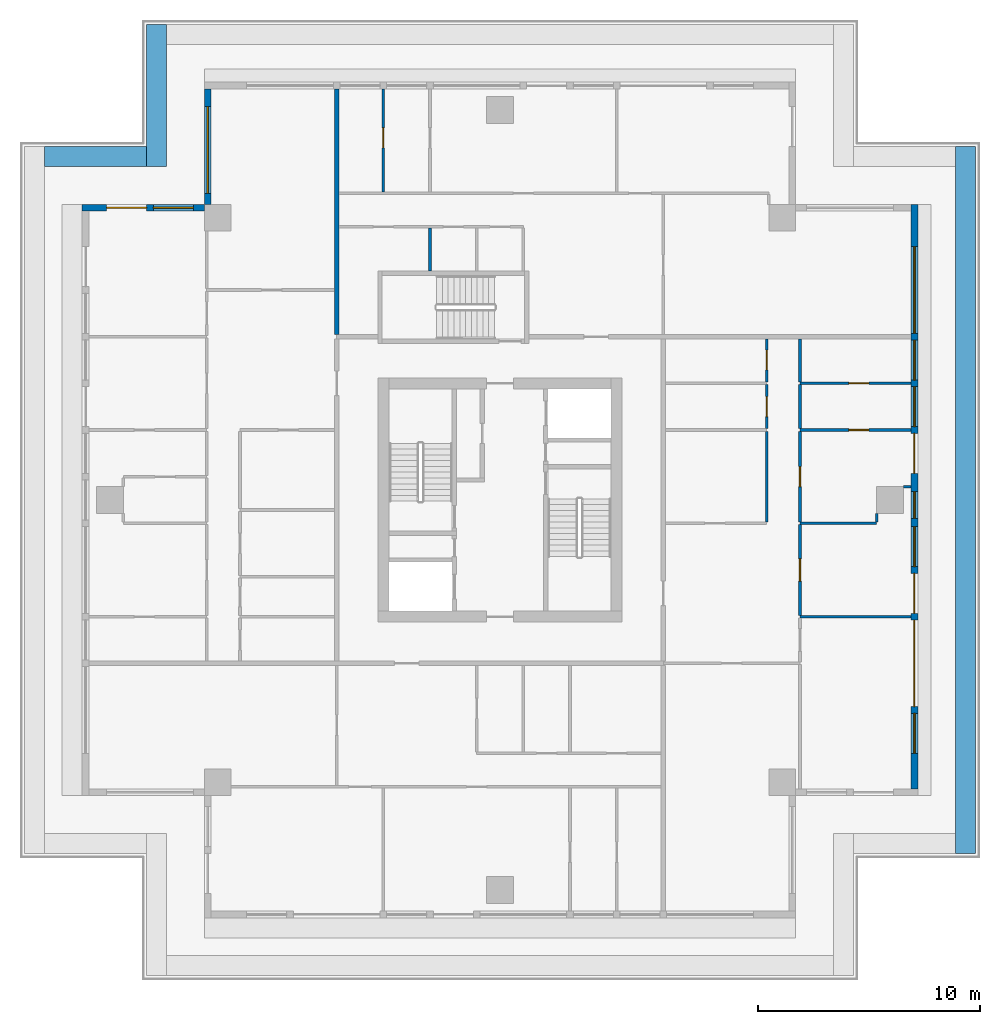
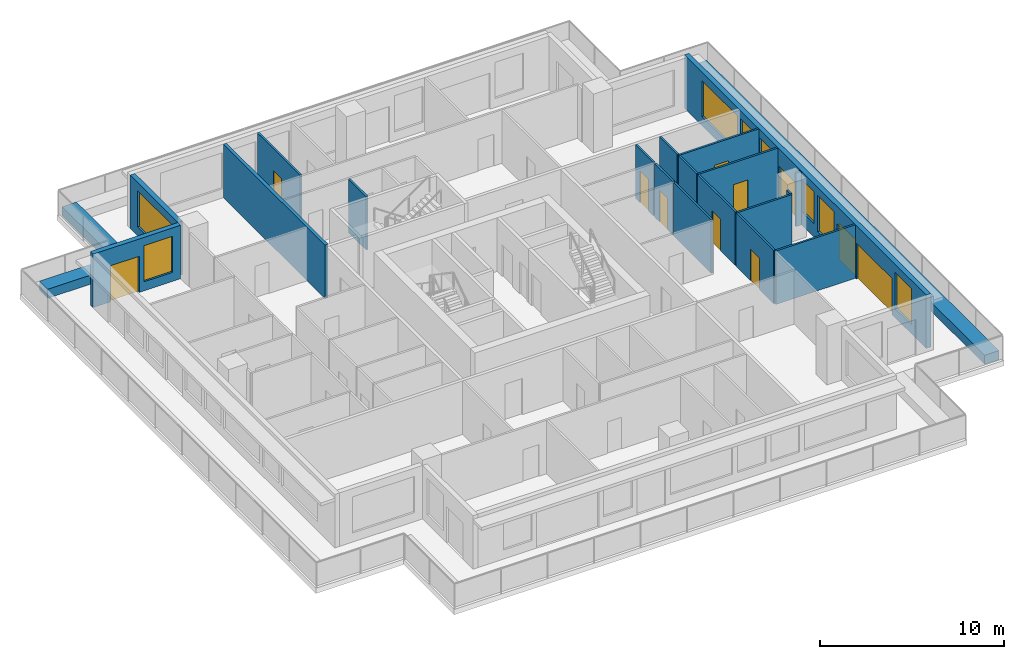
# One storey, part 5 of 10: 22 walls, 11 doors, 8 windows, 19 openings.
"""IFC4 building model written with IfcOpenShell, lengths in metres."""

from ifc_helpers import new_model, si_unit, direction, frame, frame_2d, origin, place, context, subcontext, project, spatial, rectangle, extrude, material, layer, layer_set, type_object, element, fill, save


model = new_model("IFC4")

# Units and contexts
model_context = context("Model", 3, precision=1e-05, world=origin(), true_north=direction((0.0, 1.0)))
body_context = subcontext(model_context, "Body", "Model", "MODEL_VIEW")
ifc_project = project(units=[si_unit("LENGTHUNIT", "METRE"), si_unit("AREAUNIT", "SQUARE_METRE"), si_unit("VOLUMEUNIT", "CUBIC_METRE"), si_unit("PLANEANGLEUNIT", "RADIAN"), si_unit("MASSUNIT", "GRAM", prefix="KILO")], contexts=[model_context])

# Site, building, storey
site_placement = place(None, origin())
site = spatial("IfcSite", under=ifc_project, at=site_placement, CompositionType="ELEMENT")
building_placement = place(site_placement, origin())
building = spatial("IfcBuilding", under=site, at=building_placement, Name="Khepri Terraces", CompositionType="ELEMENT")
storey_placement = place(building_placement, frame((0.0, 0.0, 300.60009765625)))
storey = spatial("IfcBuildingStorey", under=building, at=storey_placement, Name="L72", CompositionType="ELEMENT", Elevation=300.60009765625)

# Wall
ifc_material_1 = material(Name="Fire-rated gypsum plasterboard partition, mineral wool")
ifc_layer_1 = layer(ifc_material_1, 0.199951171875, Name="Fire-rated gypsum plasterboard partition, mineral wool")
ifc_layer_set_1 = layer_set([ifc_layer_1], Name="Fire-rated gypsum plasterboard partition, mineral wool")
wall_type_1 = type_object("IfcWallType", Name="WL-CORR-200", PredefinedType="PARTITIONING", material=ifc_layer_set_1)
wall_1_placement = place(storey_placement, frame((-7.35009765625, 7.449951171875, 0.0), z_axis=(0.0, 0.0, 1.0), x_axis=(0.0, 1.0, 0.0)))
element("IfcWall", 1, at=wall_1_placement, inside=storey, type_object=wall_type_1, Name="Partition P-056 L72", PredefinedType="PARTITIONING", context=body_context, shape_type="SweptSolid", body=[
    extrude(rectangle(XDim=11.050048828125, YDim=0.199951171875, at=frame_2d((5.52490234375, 0.0))), origin(), (0.0, 0.0, 1.0), 3.5498046875),
])

# Wall, openings, doors, windows
ifc_material_2 = material(Name="Precast concrete C50/60 warm stone", Category="masonry")
ifc_layer_2 = layer(ifc_material_2, 0.300048828125, Name="Precast concrete C50/60 warm stone", Category="masonry")
ifc_layer_set_2 = layer_set([ifc_layer_2], Name="Precast concrete C50/60 warm stone")
wall_type_2 = type_object("IfcWallType", Name="WL-EXT-PRECAST-300", PredefinedType="STANDARD", material=ifc_layer_set_2)
wall_2_placement = place(storey_placement, frame((18.64990234375, -13.0, 0.0), z_axis=(0.0, 0.0, 1.0), x_axis=(0.0, 1.0, 0.0)))
wall_2 = element("IfcWall", 2, at=wall_2_placement, inside=storey, type_object=wall_type_2, Name="External wall L72 E", PredefinedType="STANDARD", context=body_context, shape_type="SweptSolid", body=[
    extrude(rectangle(XDim=26.300048828125, YDim=0.300048828125, at=frame_2d((13.14990234375, 0.0))), origin(), (0.0, 0.0, 1.0), 3.5498046875),
])
opening_1_placement = place(wall_2_placement, frame((1.60009765625, 0.0, 0.60009765625)))
opening_1 = element("IfcOpeningElement", 3, at=opening_1_placement, cuts=wall_2, Name="Opening WC1", PredefinedType="OPENING", context=body_context, shape_type="SweptSolid", body=[
    extrude(rectangle(XDim=1.800048828125, YDim=2.39990234375, at=frame_2d((0.89990234375, 1.199951171875))), frame((0.0, 0.16015625, 0.0), z_axis=(0.0, -1.0, 0.0), x_axis=(1.0, 0.0, 0.0)), (0.0, 0.0, 1.0), 0.320068359375),
])
opening_2_placement = place(wall_2_placement, frame((3.699951171875, 0.0, 0.0)))
opening_2 = element("IfcOpeningElement", 4, at=opening_2_placement, cuts=wall_2, Name="Opening ED-L72-01", PredefinedType="OPENING", context=body_context, shape_type="SweptSolid", body=[
    extrude(rectangle(XDim=3.89990234375, YDim=2.39990234375, at=frame_2d((1.949951171875, 1.199951171875))), frame((0.0, 0.16015625, 0.0), z_axis=(0.0, -1.0, 0.0), x_axis=(1.0, 0.0, 0.0)), (0.0, 0.0, 1.0), 0.320068359375),
])
opening_3_placement = place(wall_2_placement, frame((7.89990234375, 0.0, 0.0)))
opening_3 = element("IfcOpeningElement", 5, at=opening_3_placement, cuts=wall_2, Name="Opening ED-L72-02", PredefinedType="OPENING", context=body_context, shape_type="SweptSolid", body=[
    extrude(rectangle(XDim=1.800048828125, YDim=2.39990234375, at=frame_2d((0.89990234375, 1.199951171875))), frame((0.0, 0.16015625, 0.0), z_axis=(0.0, -1.0, 0.0), x_axis=(1.0, 0.0, 0.0)), (0.0, 0.0, 1.0), 0.320068359375),
])
opening_4_placement = place(wall_2_placement, frame((10.0, 0.0, 0.60009765625)))
opening_4 = element("IfcOpeningElement", 6, at=opening_4_placement, cuts=wall_2, Name="Opening WC1", PredefinedType="OPENING", context=body_context, shape_type="SweptSolid", body=[
    extrude(rectangle(XDim=1.800048828125, YDim=2.39990234375, at=frame_2d((0.89990234375, 1.199951171875))), frame((0.0, 0.16015625, 0.0), z_axis=(0.0, -1.0, 0.0), x_axis=(1.0, 0.0, 0.0)), (0.0, 0.0, 1.0), 0.320068359375),
])
opening_5_placement = place(wall_2_placement, frame((14.199951171875, 0.0, 0.0)))
opening_5 = element("IfcOpeningElement", 7, at=opening_5_placement, cuts=wall_2, Name="Opening ED-L72-03", PredefinedType="OPENING", context=body_context, shape_type="SweptSolid", body=[
    extrude(rectangle(XDim=1.800048828125, YDim=2.39990234375, at=frame_2d((0.89990234375, 1.199951171875))), frame((0.0, 0.16015625, 0.0), z_axis=(0.0, -1.0, 0.0), x_axis=(1.0, 0.0, 0.0)), (0.0, 0.0, 1.0), 0.320068359375),
])
opening_6_placement = place(wall_2_placement, frame((16.300048828125, 0.0, 0.60009765625)))
opening_6 = element("IfcOpeningElement", 8, at=opening_6_placement, cuts=wall_2, Name="Opening WC1", PredefinedType="OPENING", context=body_context, shape_type="SweptSolid", body=[
    extrude(rectangle(XDim=1.800048828125, YDim=2.39990234375, at=frame_2d((0.89990234375, 1.199951171875))), frame((0.0, 0.16015625, 0.0), z_axis=(0.0, -1.0, 0.0), x_axis=(1.0, 0.0, 0.0)), (0.0, 0.0, 1.0), 0.320068359375),
])
opening_7_placement = place(wall_2_placement, frame((18.39990234375, 0.0, 0.60009765625)))
opening_7 = element("IfcOpeningElement", 9, at=opening_7_placement, cuts=wall_2, Name="Opening WC1", PredefinedType="OPENING", context=body_context, shape_type="SweptSolid", body=[
    extrude(rectangle(XDim=1.800048828125, YDim=2.39990234375, at=frame_2d((0.89990234375, 1.199951171875))), frame((0.0, 0.16015625, 0.0), z_axis=(0.0, -1.0, 0.0), x_axis=(1.0, 0.0, 0.0)), (0.0, 0.0, 1.0), 0.320068359375),
])
opening_8_placement = place(wall_2_placement, frame((20.5, 0.0, 0.60009765625)))
opening_8 = element("IfcOpeningElement", 10, at=opening_8_placement, cuts=wall_2, Name="Opening WC2", PredefinedType="OPENING", context=body_context, shape_type="SweptSolid", body=[
    extrude(rectangle(XDim=3.89990234375, YDim=2.39990234375, at=frame_2d((1.949951171875, 1.199951171875))), frame((0.0, 0.16015625, 0.0), z_axis=(0.0, -1.0, 0.0), x_axis=(1.0, 0.0, 0.0)), (0.0, 0.0, 1.0), 0.320068359375),
])
opening_9_placement = place(wall_2_placement, frame((12.175048828125, 0.0, 0.89990234375)))
opening_9 = element("IfcOpeningElement", 11, at=opening_9_placement, cuts=wall_2, Name="Opening W4", PredefinedType="OPENING", context=body_context, shape_type="SweptSolid", body=[
    extrude(rectangle(XDim=1.199951171875, YDim=2.10009765625, at=frame_2d((0.60009765625, 1.050048828125))), frame((0.0, 0.16015625, 0.0), z_axis=(0.0, -1.0, 0.0), x_axis=(1.0, 0.0, 0.0)), (0.0, 0.0, 1.0), 0.320068359375),
])
ifc_material_3 = material(Name="Anodised aluminium bronze glazed door", Category="aluminium")
door_type_1 = type_object("IfcDoorType", Name="DR-BAL-SLIDE-1800x2400", OperationType="NOTDEFINED", PredefinedType="DOOR", material=ifc_material_3)
door_1_placement = place(opening_3_placement, origin())
door_1 = element("IfcDoor", 12, at=door_1_placement, inside=storey, type_object=door_type_1, Name="Balcony door L72 E", OperationType="SLIDING_TO_LEFT", OverallHeight=2.39990234375, OverallWidth=1.800048828125, PredefinedType="DOOR", context=body_context, shape_type="SweptSolid", body=[
    extrude(rectangle(XDim=1.800048828125, YDim=2.39990234375, at=frame_2d((0.89990234375, 1.199951171875))), frame((0.0, 0.02490234375, 0.0), z_axis=(0.0, -1.0, 0.0), x_axis=(1.0, 0.0, 0.0)), (0.0, 0.0, 1.0), 0.050048828125),
])
fill(opening_3, door_1)
door_2_placement = place(opening_5_placement, origin())
door_2 = element("IfcDoor", 13, at=door_2_placement, inside=storey, type_object=door_type_1, Name="Balcony door L72 E", OperationType="SLIDING_TO_LEFT", OverallHeight=2.39990234375, OverallWidth=1.800048828125, PredefinedType="DOOR", context=body_context, shape_type="SweptSolid", body=[
    extrude(rectangle(XDim=1.800048828125, YDim=2.39990234375, at=frame_2d((0.89990234375, 1.199951171875))), frame((0.0, 0.02490234375, 0.0), z_axis=(0.0, -1.0, 0.0), x_axis=(1.0, 0.0, 0.0)), (0.0, 0.0, 1.0), 0.050048828125),
])
fill(opening_5, door_2)
door_type_2 = type_object("IfcDoorType", Name="DR-BAL-SLIDE-3900x2400", OperationType="NOTDEFINED", PredefinedType="DOOR", material=ifc_material_3)
door_3_placement = place(opening_2_placement, origin())
door_3 = element("IfcDoor", 14, at=door_3_placement, inside=storey, type_object=door_type_2, Name="Balcony door L72 E", OperationType="SLIDING_TO_LEFT", OverallHeight=2.39990234375, OverallWidth=3.89990234375, PredefinedType="DOOR", context=body_context, shape_type="SweptSolid", body=[
    extrude(rectangle(XDim=3.89990234375, YDim=2.39990234375, at=frame_2d((1.949951171875, 1.199951171875))), frame((0.0, 0.02490234375, 0.0), z_axis=(0.0, -1.0, 0.0), x_axis=(1.0, 0.0, 0.0)), (0.0, 0.0, 1.0), 0.050048828125),
])
fill(opening_2, door_3)
ifc_material_4 = material(Name="Clear glass", Category="glass")
window_type_1 = type_object("IfcWindowType", Name="WIN-CRN-1800x2400", PartitioningType="SINGLE_PANEL", PredefinedType="WINDOW", material=ifc_material_4)
window_1_placement = place(opening_1_placement, origin())
window_1 = element("IfcWindow", 15, at=window_1_placement, inside=storey, type_object=window_type_1, Name="Window L72 E", OverallHeight=2.39990234375, OverallWidth=1.800048828125, PartitioningType="SINGLE_PANEL", PredefinedType="WINDOW", context=body_context, shape_type="SweptSolid", body=[
    extrude(rectangle(XDim=1.800048828125, YDim=2.39990234375, at=frame_2d((0.89990234375, 1.199951171875))), frame((0.0, 0.030029296875, 0.0), z_axis=(0.0, -1.0, 0.0), x_axis=(1.0, 0.0, 0.0)), (0.0, 0.0, 1.0), 0.06005859375),
])
fill(opening_1, window_1)
window_2_placement = place(opening_4_placement, origin())
window_2 = element("IfcWindow", 16, at=window_2_placement, inside=storey, type_object=window_type_1, Name="Window L72 E", OverallHeight=2.39990234375, OverallWidth=1.800048828125, PartitioningType="SINGLE_PANEL", PredefinedType="WINDOW", context=body_context, shape_type="SweptSolid", body=[
    extrude(rectangle(XDim=1.800048828125, YDim=2.39990234375, at=frame_2d((0.89990234375, 1.199951171875))), frame((0.0, 0.030029296875, 0.0), z_axis=(0.0, -1.0, 0.0), x_axis=(1.0, 0.0, 0.0)), (0.0, 0.0, 1.0), 0.06005859375),
])
fill(opening_4, window_2)
window_3_placement = place(opening_6_placement, origin())
window_3 = element("IfcWindow", 17, at=window_3_placement, inside=storey, type_object=window_type_1, Name="Window L72 E", OverallHeight=2.39990234375, OverallWidth=1.800048828125, PartitioningType="SINGLE_PANEL", PredefinedType="WINDOW", context=body_context, shape_type="SweptSolid", body=[
    extrude(rectangle(XDim=1.800048828125, YDim=2.39990234375, at=frame_2d((0.89990234375, 1.199951171875))), frame((0.0, 0.030029296875, 0.0), z_axis=(0.0, -1.0, 0.0), x_axis=(1.0, 0.0, 0.0)), (0.0, 0.0, 1.0), 0.06005859375),
])
fill(opening_6, window_3)
window_4_placement = place(opening_7_placement, origin())
window_4 = element("IfcWindow", 18, at=window_4_placement, inside=storey, type_object=window_type_1, Name="Window L72 E", OverallHeight=2.39990234375, OverallWidth=1.800048828125, PartitioningType="SINGLE_PANEL", PredefinedType="WINDOW", context=body_context, shape_type="SweptSolid", body=[
    extrude(rectangle(XDim=1.800048828125, YDim=2.39990234375, at=frame_2d((0.89990234375, 1.199951171875))), frame((0.0, 0.030029296875, 0.0), z_axis=(0.0, -1.0, 0.0), x_axis=(1.0, 0.0, 0.0)), (0.0, 0.0, 1.0), 0.06005859375),
])
fill(opening_7, window_4)
window_type_2 = type_object("IfcWindowType", Name="WIN-CRN-3900x2400", PartitioningType="SINGLE_PANEL", PredefinedType="WINDOW", material=ifc_material_4)
window_5_placement = place(opening_8_placement, origin())
window_5 = element("IfcWindow", 19, at=window_5_placement, inside=storey, type_object=window_type_2, Name="Window L72 E", OverallHeight=2.39990234375, OverallWidth=3.89990234375, PartitioningType="SINGLE_PANEL", PredefinedType="WINDOW", context=body_context, shape_type="SweptSolid", body=[
    extrude(rectangle(XDim=3.89990234375, YDim=2.39990234375, at=frame_2d((1.949951171875, 1.199951171875))), frame((0.0, 0.030029296875, 0.0), z_axis=(0.0, -1.0, 0.0), x_axis=(1.0, 0.0, 0.0)), (0.0, 0.0, 1.0), 0.06005859375),
])
fill(opening_8, window_5)
window_type_3 = type_object("IfcWindowType", Name="WIN-RES-1200x2100", PartitioningType="SINGLE_PANEL", PredefinedType="WINDOW", material=ifc_material_4)
window_6_placement = place(opening_9_placement, origin())
window_6 = element("IfcWindow", 20, at=window_6_placement, inside=storey, type_object=window_type_3, Name="Window L72 E", OverallHeight=2.10009765625, OverallWidth=1.199951171875, PartitioningType="SINGLE_PANEL", PredefinedType="WINDOW", context=body_context, shape_type="SweptSolid", body=[
    extrude(rectangle(XDim=1.199951171875, YDim=2.10009765625, at=frame_2d((0.60009765625, 1.050048828125))), frame((0.0, 0.030029296875, 0.0), z_axis=(0.0, -1.0, 0.0), x_axis=(1.0, 0.0, 0.0)), (0.0, 0.0, 1.0), 0.06005859375),
])
fill(opening_9, window_6)

# Wall, opening, window
wall_3_placement = place(storey_placement, frame((-13.14990234375, 18.5, 0.0), z_axis=(0.0, 0.0, 1.0), x_axis=(0.0, -1.0, 0.0)))
wall_3 = element("IfcWall", 21, at=wall_3_placement, inside=storey, type_object=wall_type_2, Name="External wall L72 W", PredefinedType="STANDARD", context=body_context, shape_type="SweptSolid", body=[
    extrude(rectangle(XDim=5.199951171875, YDim=0.300048828125, at=frame_2d((2.60009765625, 0.0))), origin(), (0.0, 0.0, 1.0), 3.5498046875),
])
opening_10_placement = place(wall_3_placement, frame((0.800048828125, 0.0, 0.60009765625)))
opening_10 = element("IfcOpeningElement", 22, at=opening_10_placement, cuts=wall_3, Name="Opening WC2", PredefinedType="OPENING", context=body_context, shape_type="SweptSolid", body=[
    extrude(rectangle(XDim=3.89990234375, YDim=2.39990234375, at=frame_2d((1.949951171875, 1.199951171875))), frame((0.0, 0.16015625, 0.0), z_axis=(0.0, -1.0, 0.0), x_axis=(1.0, 0.0, 0.0)), (0.0, 0.0, 1.0), 0.320068359375),
])
window_7_placement = place(opening_10_placement, origin())
window_7 = element("IfcWindow", 23, at=window_7_placement, inside=storey, type_object=window_type_2, Name="Window L72 W", OverallHeight=2.39990234375, OverallWidth=3.89990234375, PartitioningType="SINGLE_PANEL", PredefinedType="WINDOW", context=body_context, shape_type="SweptSolid", body=[
    extrude(rectangle(XDim=3.89990234375, YDim=2.39990234375, at=frame_2d((1.949951171875, 1.199951171875))), frame((0.0, 0.030029296875, 0.0), z_axis=(0.0, -1.0, 0.0), x_axis=(1.0, 0.0, 0.0)), (0.0, 0.0, 1.0), 0.06005859375),
])
fill(opening_10, window_7)

# Wall, openings, door, window
wall_4_placement = place(storey_placement, frame((-13.300048828125, 13.14990234375, 0.0), z_axis=(0.0, 0.0, 1.0), x_axis=(-1.0, 0.0, 0.0)))
wall_4 = element("IfcWall", 24, at=wall_4_placement, inside=storey, type_object=wall_type_2, Name="External wall L72 N", PredefinedType="STANDARD", context=body_context, shape_type="SweptSolid", body=[
    extrude(rectangle(XDim=5.5, YDim=0.300048828125, at=frame_2d((2.75, 0.0))), origin(), (0.0, 0.0, 1.0), 3.5498046875),
])
opening_11_placement = place(wall_4_placement, frame((0.5, 0.0, 0.60009765625)))
opening_11 = element("IfcOpeningElement", 25, at=opening_11_placement, cuts=wall_4, Name="Opening WC1", PredefinedType="OPENING", context=body_context, shape_type="SweptSolid", body=[
    extrude(rectangle(XDim=1.800048828125, YDim=2.39990234375, at=frame_2d((0.89990234375, 1.199951171875))), frame((0.0, 0.16015625, 0.0), z_axis=(0.0, -1.0, 0.0), x_axis=(1.0, 0.0, 0.0)), (0.0, 0.0, 1.0), 0.320068359375),
])
opening_12_placement = place(wall_4_placement, frame((2.60009765625, 0.0, 0.0)))
opening_12 = element("IfcOpeningElement", 26, at=opening_12_placement, cuts=wall_4, Name="Opening ED-L72-07", PredefinedType="OPENING", context=body_context, shape_type="SweptSolid", body=[
    extrude(rectangle(XDim=1.800048828125, YDim=2.39990234375, at=frame_2d((0.89990234375, 1.199951171875))), frame((0.0, 0.16015625, 0.0), z_axis=(0.0, -1.0, 0.0), x_axis=(1.0, 0.0, 0.0)), (0.0, 0.0, 1.0), 0.320068359375),
])
door_4_placement = place(opening_12_placement, origin())
door_4 = element("IfcDoor", 27, at=door_4_placement, inside=storey, type_object=door_type_1, Name="Balcony door L72 N", OperationType="SLIDING_TO_LEFT", OverallHeight=2.39990234375, OverallWidth=1.800048828125, PredefinedType="DOOR", context=body_context, shape_type="SweptSolid", body=[
    extrude(rectangle(XDim=1.800048828125, YDim=2.39990234375, at=frame_2d((0.89990234375, 1.199951171875))), frame((0.0, 0.02490234375, 0.0), z_axis=(0.0, -1.0, 0.0), x_axis=(1.0, 0.0, 0.0)), (0.0, 0.0, 1.0), 0.050048828125),
])
fill(opening_12, door_4)
window_8_placement = place(opening_11_placement, origin())
window_8 = element("IfcWindow", 28, at=window_8_placement, inside=storey, type_object=window_type_1, Name="Window L72 N", OverallHeight=2.39990234375, OverallWidth=1.800048828125, PartitioningType="SINGLE_PANEL", PredefinedType="WINDOW", context=body_context, shape_type="SweptSolid", body=[
    extrude(rectangle(XDim=1.800048828125, YDim=2.39990234375, at=frame_2d((0.89990234375, 1.199951171875))), frame((0.0, 0.030029296875, 0.0), z_axis=(0.0, -1.0, 0.0), x_axis=(1.0, 0.0, 0.0)), (0.0, 0.0, 1.0), 0.06005859375),
])
fill(opening_11, window_8)

# Wall
ifc_material_5 = material(Name="Gypsum plasterboard partition")
ifc_layer_3 = layer(ifc_material_5, 0.1201171875, Name="Gypsum plasterboard partition")
ifc_layer_set_3 = layer_set([ifc_layer_3], Name="Gypsum plasterboard partition")
wall_type_3 = type_object("IfcWallType", Name="WL-PART-120", PredefinedType="PARTITIONING", material=ifc_layer_set_3)
wall_5_placement = place(storey_placement, frame((13.5, -5.25, 0.0), z_axis=(0.0, 0.0, 1.0), x_axis=(1.0, 0.0, 0.0)))
element("IfcWall", 29, at=wall_5_placement, inside=storey, type_object=wall_type_3, Name="Partition P-021 L72", PredefinedType="PARTITIONING", context=body_context, shape_type="SweptSolid", body=[
    extrude(rectangle(XDim=5.0, YDim=0.1201171875, at=frame_2d((2.5, 0.0))), origin(), (0.0, 0.0, 1.0), 3.5498046875),
])

# Wall, opening, door
wall_6_placement = place(storey_placement, frame((13.5, -5.18994140625, 0.0), z_axis=(0.0, 0.0, 1.0), x_axis=(0.0, 1.0, 0.0)))
wall_6 = element("IfcWall", 30, at=wall_6_placement, inside=storey, type_object=wall_type_3, Name="Partition P-024 L72", PredefinedType="PARTITIONING", context=body_context, shape_type="SweptSolid", body=[
    extrude(rectangle(XDim=4.079833984375, YDim=0.1201171875, at=frame_2d((2.0400390625, 0.0))), origin(), (0.0, 0.0, 1.0), 3.5498046875),
])
opening_13_placement = place(wall_6_placement, frame((1.5400390625, 0.0, 0.0)))
opening_13 = element("IfcOpeningElement", 31, at=opening_13_placement, cuts=wall_6, Name="Opening D2", PredefinedType="OPENING", context=body_context, shape_type="SweptSolid", body=[
    extrude(rectangle(XDim=1.0, YDim=2.10009765625, at=frame_2d((0.5, 1.050048828125))), frame((0.0, 0.070068359375, 0.0), z_axis=(0.0, -1.0, 0.0), x_axis=(1.0, 0.0, 0.0)), (0.0, 0.0, 1.0), 0.14013671875),
])
ifc_material_6 = material(Name="Timber door leaf, living room door", Category="wood")
door_type_3 = type_object("IfcDoorType", Name="DR-INT-1000", OperationType="NOTDEFINED", PredefinedType="DOOR", material=ifc_material_6)
door_5_placement = place(opening_13_placement, frame((1.0, 0.0, 0.0), z_axis=(0.0, 0.0, 1.0), x_axis=(-1.0, 0.0, 0.0)))
door_5 = element("IfcDoor", 32, at=door_5_placement, inside=storey, type_object=door_type_3, Name="Door Living Room", OperationType="SINGLE_SWING_LEFT", OverallHeight=2.10009765625, OverallWidth=1.0, PredefinedType="DOOR", context=body_context, shape_type="SweptSolid", body=[
    extrude(rectangle(XDim=1.0, YDim=2.10009765625, at=frame_2d((0.5, 1.050048828125))), frame((0.0, 0.02490234375, 0.0), z_axis=(0.0, -1.0, 0.0), x_axis=(1.0, 0.0, 0.0)), (0.0, 0.0, 1.0), 0.050048828125),
])
fill(opening_13, door_5)

# Walls
wall_7_placement = place(storey_placement, frame((13.5, -1.050048828125, 0.0), z_axis=(0.0, 0.0, 1.0), x_axis=(1.0, 0.0, 0.0)))
element("IfcWall", 33, at=wall_7_placement, inside=storey, type_object=wall_type_3, Name="Partition P-029 L72", PredefinedType="PARTITIONING", context=body_context, shape_type="SweptSolid", body=[
    extrude(rectangle(XDim=3.448974609375, YDim=0.1201171875, at=frame_2d((1.724609375, 0.0))), origin(), (0.0, 0.0, 1.0), 3.5498046875),
])
wall_8_placement = place(storey_placement, frame((12.0, -0.989990234375, 0.0), z_axis=(0.0, 0.0, 1.0), x_axis=(0.0, 1.0, 0.0)))
element("IfcWall", 34, at=wall_8_placement, inside=storey, type_object=wall_type_3, Name="Partition P-032 L72", PredefinedType="PARTITIONING", context=body_context, shape_type="SweptSolid", body=[
    extrude(rectangle(XDim=4.080078125, YDim=0.1201171875, at=frame_2d((2.0400390625, 0.0))), origin(), (0.0, 0.0, 1.0), 3.5498046875),
])

# Wall, opening, door
wall_9_placement = place(storey_placement, frame((13.5, -0.989990234375, 0.0), z_axis=(0.0, 0.0, 1.0), x_axis=(0.0, 1.0, 0.0)))
wall_9 = element("IfcWall", 35, at=wall_9_placement, inside=storey, type_object=wall_type_3, Name="Partition P-033 L72", PredefinedType="PARTITIONING", context=body_context, shape_type="SweptSolid", body=[
    extrude(rectangle(XDim=4.080078125, YDim=0.1201171875, at=frame_2d((2.0400390625, 0.0))), origin(), (0.0, 0.0, 1.0), 3.5498046875),
])
opening_14_placement = place(wall_9_placement, frame((1.590087890625, 0.0, 0.0)))
opening_14 = element("IfcOpeningElement", 36, at=opening_14_placement, cuts=wall_9, Name="Opening D3", PredefinedType="OPENING", context=body_context, shape_type="SweptSolid", body=[
    extrude(rectangle(XDim=0.89990234375, YDim=2.10009765625, at=frame_2d((0.449951171875, 1.050048828125))), frame((0.0, 0.070068359375, 0.0), z_axis=(0.0, -1.0, 0.0), x_axis=(1.0, 0.0, 0.0)), (0.0, 0.0, 1.0), 0.14013671875),
])
ifc_material_7 = material(Name="Timber door leaf", Category="wood")
door_type_4 = type_object("IfcDoorType", Name="DR-INT-900", OperationType="NOTDEFINED", PredefinedType="DOOR", material=ifc_material_7)
door_6_placement = place(opening_14_placement, frame((0.89990234375, 0.0, 0.0), z_axis=(0.0, 0.0, 1.0), x_axis=(-1.0, 0.0, 0.0)))
door_6 = element("IfcDoor", 37, at=door_6_placement, inside=storey, type_object=door_type_4, Name="Door Master Bedroom", OperationType="SINGLE_SWING_LEFT", OverallHeight=2.10009765625, OverallWidth=0.89990234375, PredefinedType="DOOR", context=body_context, shape_type="SweptSolid", body=[
    extrude(rectangle(XDim=0.89990234375, YDim=2.10009765625, at=frame_2d((0.449951171875, 1.050048828125))), frame((0.0, 0.02490234375, 0.0), z_axis=(0.0, -1.0, 0.0), x_axis=(1.0, 0.0, 0.0)), (0.0, 0.0, 1.0), 0.050048828125),
])
fill(opening_14, door_6)

# Walls
wall_10_placement = place(storey_placement, frame((16.948974609375, -0.989990234375, 0.0), z_axis=(0.0, 0.0, 1.0), x_axis=(0.0, 1.0, 0.0)))
element("IfcWall", 38, at=wall_10_placement, inside=storey, type_object=wall_type_3, Name="Partition P-034 L72", PredefinedType="PARTITIONING", context=body_context, shape_type="SweptSolid", body=[
    extrude(rectangle(XDim=0.389892578125, YDim=0.1201171875, at=frame_2d((0.19482421875, 0.0))), origin(), (0.0, 0.0, 1.0), 3.5498046875),
])
wall_11_placement = place(storey_placement, frame((18.14990234375, 0.60107421875, 0.0), z_axis=(0.0, 0.0, 1.0), x_axis=(1.0, 0.0, 0.0)))
element("IfcWall", 39, at=wall_11_placement, inside=storey, type_object=wall_type_3, Name="Partition P-038 L72", PredefinedType="PARTITIONING", context=body_context, shape_type="SweptSolid", body=[
    extrude(rectangle(XDim=0.35009765625, YDim=0.1201171875, at=frame_2d((0.175048828125, 0.0))), origin(), (0.0, 0.0, 1.0), 3.5498046875),
])

# Wall, opening, door
wall_12_placement = place(storey_placement, frame((13.5, 3.14990234375, 0.0), z_axis=(0.0, 0.0, 1.0), x_axis=(1.0, 0.0, 0.0)))
wall_12 = element("IfcWall", 40, at=wall_12_placement, inside=storey, type_object=wall_type_3, Name="Partition P-044 L72", PredefinedType="PARTITIONING", context=body_context, shape_type="SweptSolid", body=[
    extrude(rectangle(XDim=5.0, YDim=0.1201171875, at=frame_2d((2.5, 0.0))), origin(), (0.0, 0.0, 1.0), 3.5498046875),
])
opening_15_placement = place(wall_12_placement, frame((2.199951171875, 0.0, 0.0)))
opening_15 = element("IfcOpeningElement", 41, at=opening_15_placement, cuts=wall_12, Name="Opening D3", PredefinedType="OPENING", context=body_context, shape_type="SweptSolid", body=[
    extrude(rectangle(XDim=0.89990234375, YDim=2.10009765625, at=frame_2d((0.449951171875, 1.050048828125))), frame((0.0, 0.070068359375, 0.0), z_axis=(0.0, -1.0, 0.0), x_axis=(1.0, 0.0, 0.0)), (0.0, 0.0, 1.0), 0.14013671875),
])
door_7_placement = place(opening_15_placement, origin())
door_7 = element("IfcDoor", 42, at=door_7_placement, inside=storey, type_object=door_type_4, Name="Door Dressing Room", OperationType="SINGLE_SWING_RIGHT", OverallHeight=2.10009765625, OverallWidth=0.89990234375, PredefinedType="DOOR", context=body_context, shape_type="SweptSolid", body=[
    extrude(rectangle(XDim=0.89990234375, YDim=2.10009765625, at=frame_2d((0.449951171875, 1.050048828125))), frame((0.0, 0.02490234375, 0.0), z_axis=(0.0, -1.0, 0.0), x_axis=(1.0, 0.0, 0.0)), (0.0, 0.0, 1.0), 0.050048828125),
])
fill(opening_15, door_7)

wall_13_placement = place(storey_placement, frame((12.0, 3.2099609375, 0.0), z_axis=(0.0, 0.0, 1.0), x_axis=(0.0, 1.0, 0.0)))
wall_13 = element("IfcWall", 43, at=wall_13_placement, inside=storey, type_object=wall_type_3, Name="Partition P-046 L72", PredefinedType="PARTITIONING", context=body_context, shape_type="SweptSolid", body=[
    extrude(rectangle(XDim=1.97998046875, YDim=0.1201171875, at=frame_2d((0.989990234375, 0.0))), origin(), (0.0, 0.0, 1.0), 3.5498046875),
])
opening_16_placement = place(wall_13_placement, frame((0.5400390625, 0.0, 0.0)))
opening_16 = element("IfcOpeningElement", 44, at=opening_16_placement, cuts=wall_13, Name="Opening D4", PredefinedType="OPENING", context=body_context, shape_type="SweptSolid", body=[
    extrude(rectangle(XDim=0.89990234375, YDim=2.10009765625, at=frame_2d((0.449951171875, 1.050048828125))), frame((0.0, 0.070068359375, 0.0), z_axis=(0.0, -1.0, 0.0), x_axis=(1.0, 0.0, 0.0)), (0.0, 0.0, 1.0), 0.14013671875),
])
ifc_material_8 = material(Name="Timber door leaf, moisture resistant", Category="wood")
door_type_5 = type_object("IfcDoorType", Name="DR-WET-900", OperationType="NOTDEFINED", PredefinedType="DOOR", material=ifc_material_8)
door_8_placement = place(opening_16_placement, origin())
door_8 = element("IfcDoor", 45, at=door_8_placement, inside=storey, type_object=door_type_5, Name="Door Guest Bathroom", OperationType="SINGLE_SWING_RIGHT", OverallHeight=2.10009765625, OverallWidth=0.89990234375, PredefinedType="DOOR", context=body_context, shape_type="SweptSolid", body=[
    extrude(rectangle(XDim=0.89990234375, YDim=2.10009765625, at=frame_2d((0.449951171875, 1.050048828125))), frame((0.0, 0.02490234375, 0.0), z_axis=(0.0, -1.0, 0.0), x_axis=(1.0, 0.0, 0.0)), (0.0, 0.0, 1.0), 0.050048828125),
])
fill(opening_16, door_8)

# Wall
wall_14_placement = place(storey_placement, frame((13.5, 3.2099609375, 0.0), z_axis=(0.0, 0.0, 1.0), x_axis=(0.0, 1.0, 0.0)))
element("IfcWall", 46, at=wall_14_placement, inside=storey, type_object=wall_type_3, Name="Partition P-047 L72", PredefinedType="PARTITIONING", context=body_context, shape_type="SweptSolid", body=[
    extrude(rectangle(XDim=1.97998046875, YDim=0.1201171875, at=frame_2d((0.989990234375, 0.0))), origin(), (0.0, 0.0, 1.0), 3.5498046875),
])

# Wall, opening, door
wall_15_placement = place(storey_placement, frame((13.5, 5.25, 0.0), z_axis=(0.0, 0.0, 1.0), x_axis=(1.0, 0.0, 0.0)))
wall_15 = element("IfcWall", 47, at=wall_15_placement, inside=storey, type_object=wall_type_3, Name="Partition P-049 L72", PredefinedType="PARTITIONING", context=body_context, shape_type="SweptSolid", body=[
    extrude(rectangle(XDim=5.0, YDim=0.1201171875, at=frame_2d((2.5, 0.0))), origin(), (0.0, 0.0, 1.0), 3.5498046875),
])
opening_17_placement = place(wall_15_placement, frame((2.199951171875, 0.0, 0.0)))
opening_17 = element("IfcOpeningElement", 48, at=opening_17_placement, cuts=wall_15, Name="Opening D4", PredefinedType="OPENING", context=body_context, shape_type="SweptSolid", body=[
    extrude(rectangle(XDim=0.89990234375, YDim=2.10009765625, at=frame_2d((0.449951171875, 1.050048828125))), frame((0.0, 0.070068359375, 0.0), z_axis=(0.0, -1.0, 0.0), x_axis=(1.0, 0.0, 0.0)), (0.0, 0.0, 1.0), 0.14013671875),
])
door_9_placement = place(opening_17_placement, origin())
door_9 = element("IfcDoor", 49, at=door_9_placement, inside=storey, type_object=door_type_5, Name="Door Bathroom", OperationType="SINGLE_SWING_RIGHT", OverallHeight=2.10009765625, OverallWidth=0.89990234375, PredefinedType="DOOR", context=body_context, shape_type="SweptSolid", body=[
    extrude(rectangle(XDim=0.89990234375, YDim=2.10009765625, at=frame_2d((0.449951171875, 1.050048828125))), frame((0.0, 0.02490234375, 0.0), z_axis=(0.0, -1.0, 0.0), x_axis=(1.0, 0.0, 0.0)), (0.0, 0.0, 1.0), 0.050048828125),
])
fill(opening_17, door_9)

wall_16_placement = place(storey_placement, frame((12.0, 5.31005859375, 0.0), z_axis=(0.0, 0.0, 1.0), x_axis=(0.0, 1.0, 0.0)))
wall_16 = element("IfcWall", 50, at=wall_16_placement, inside=storey, type_object=wall_type_3, Name="Partition P-050 L72", PredefinedType="PARTITIONING", context=body_context, shape_type="SweptSolid", body=[
    extrude(rectangle(XDim=1.93994140625, YDim=0.1201171875, at=frame_2d((0.969970703125, 0.0))), origin(), (0.0, 0.0, 1.0), 3.5498046875),
])
opening_18_placement = place(wall_16_placement, frame((0.5400390625, 0.0, 0.0)))
opening_18 = element("IfcOpeningElement", 51, at=opening_18_placement, cuts=wall_16, Name="Opening D4", PredefinedType="OPENING", context=body_context, shape_type="SweptSolid", body=[
    extrude(rectangle(XDim=0.89990234375, YDim=2.10009765625, at=frame_2d((0.449951171875, 1.050048828125))), frame((0.0, 0.070068359375, 0.0), z_axis=(0.0, -1.0, 0.0), x_axis=(1.0, 0.0, 0.0)), (0.0, 0.0, 1.0), 0.14013671875),
])
door_10_placement = place(opening_18_placement, origin())
door_10 = element("IfcDoor", 52, at=door_10_placement, inside=storey, type_object=door_type_5, Name="Door Powder Room", OperationType="SINGLE_SWING_RIGHT", OverallHeight=2.10009765625, OverallWidth=0.89990234375, PredefinedType="DOOR", context=body_context, shape_type="SweptSolid", body=[
    extrude(rectangle(XDim=0.89990234375, YDim=2.10009765625, at=frame_2d((0.449951171875, 1.050048828125))), frame((0.0, 0.02490234375, 0.0), z_axis=(0.0, -1.0, 0.0), x_axis=(1.0, 0.0, 0.0)), (0.0, 0.0, 1.0), 0.050048828125),
])
fill(opening_18, door_10)

# Walls
for number, where, z_axis, x_axis, name in (
    (53, (13.5, 5.31005859375, 0.0), (0.0, 0.0, 1.0), (0.0, 1.0, 0.0), "Partition P-051 L72"),
    (54, (-3.14990234375, 10.300048828125, 0.0), (0.0, 0.0, 1.0), (0.0, 1.0, 0.0), "Partition P-060 L72"),
):
    element("IfcWall", number, at=place(storey_placement, frame(where, z_axis=z_axis, x_axis=x_axis)), inside=storey, type_object=wall_type_3, Name=name, PredefinedType="PARTITIONING", context=body_context, shape_type="SweptSolid", body=[
        extrude(rectangle(XDim=1.93994140625, YDim=0.1201171875, at=frame_2d((0.969970703125, 0.0))), origin(), (0.0, 0.0, 1.0), 3.5498046875),
    ])

# Wall, opening, door
wall_17_placement = place(storey_placement, frame((-5.25, 13.860107421875, 0.0), z_axis=(0.0, 0.0, 1.0), x_axis=(0.0, 1.0, 0.0)))
wall_17 = element("IfcWall", 55, at=wall_17_placement, inside=storey, type_object=wall_type_3, Name="Partition P-066 L72", PredefinedType="PARTITIONING", context=body_context, shape_type="SweptSolid", body=[
    extrude(rectangle(XDim=4.639892578125, YDim=0.1201171875, at=frame_2d((2.31982421875, 0.0))), origin(), (0.0, 0.0, 1.0), 3.5498046875),
])
opening_19_placement = place(wall_17_placement, frame((1.989990234375, 0.0, 0.0)))
opening_19 = element("IfcOpeningElement", 56, at=opening_19_placement, cuts=wall_17, Name="Opening D4", PredefinedType="OPENING", context=body_context, shape_type="SweptSolid", body=[
    extrude(rectangle(XDim=0.89990234375, YDim=2.10009765625, at=frame_2d((0.449951171875, 1.050048828125))), frame((0.0, 0.070068359375, 0.0), z_axis=(0.0, -1.0, 0.0), x_axis=(1.0, 0.0, 0.0)), (0.0, 0.0, 1.0), 0.14013671875),
])
door_11_placement = place(opening_19_placement, origin())
door_11 = element("IfcDoor", 57, at=door_11_placement, inside=storey, type_object=door_type_5, Name="Door Bathroom", OperationType="SINGLE_SWING_RIGHT", OverallHeight=2.10009765625, OverallWidth=0.89990234375, PredefinedType="DOOR", context=body_context, shape_type="SweptSolid", body=[
    extrude(rectangle(XDim=0.89990234375, YDim=2.10009765625, at=frame_2d((0.449951171875, 1.050048828125))), frame((0.0, 0.02490234375, 0.0), z_axis=(0.0, -1.0, 0.0), x_axis=(1.0, 0.0, 0.0)), (0.0, 0.0, 1.0), 0.050048828125),
])
fill(opening_19, door_11)

# Walls
ifc_layer_4 = layer(ifc_material_2, 0.89990234375, Name="Precast concrete C50/60 warm stone", Category="masonry")
ifc_layer_set_4 = layer_set([ifc_layer_4], Name="Precast concrete C50/60 warm stone")
wall_type_4 = type_object("IfcWallType", Name="WL-PLANTER-900", PredefinedType="MOVABLE", material=ifc_layer_set_4)
wall_18_placement = place(storey_placement, frame((-20.5, 15.449951171875, 0.0), z_axis=(0.0, 0.0, 1.0), x_axis=(1.0, 0.0, 0.0)))
element("IfcWall", 58, at=wall_18_placement, inside=storey, type_object=wall_type_4, Name="Planter L72", PredefinedType="MOVABLE", context=body_context, shape_type="SweptSolid", body=[
    extrude(rectangle(XDim=4.60009765625, YDim=0.89990234375, at=frame_2d((2.300048828125, 0.0))), origin(), (0.0, 0.0, 1.0), 0.599853515625),
])
wall_19_placement = place(storey_placement, frame((-15.449951171875, 15.0, 0.0), z_axis=(0.0, 0.0, 1.0), x_axis=(0.0, 1.0, 0.0)))
element("IfcWall", 59, at=wall_19_placement, inside=storey, type_object=wall_type_4, Name="Planter L72", PredefinedType="MOVABLE", context=body_context, shape_type="SweptSolid", body=[
    extrude(rectangle(XDim=6.39990234375, YDim=0.89990234375, at=frame_2d((3.199951171875, 0.0))), origin(), (0.0, 0.0, 1.0), 0.599853515625),
])
wall_20_placement = place(storey_placement, frame((20.949951171875, -15.89990234375, 0.0), z_axis=(0.0, 0.0, 1.0), x_axis=(0.0, 1.0, 0.0)))
element("IfcWall", 60, at=wall_20_placement, inside=storey, type_object=wall_type_4, Name="Planter L72", PredefinedType="MOVABLE", context=body_context, shape_type="SweptSolid", body=[
    extrude(rectangle(XDim=31.7998046875, YDim=0.89990234375, at=frame_2d((15.89990234375, 0.0))), origin(), (0.0, 0.0, 1.0), 0.599853515625),
])

save(model, "model.ifc")
